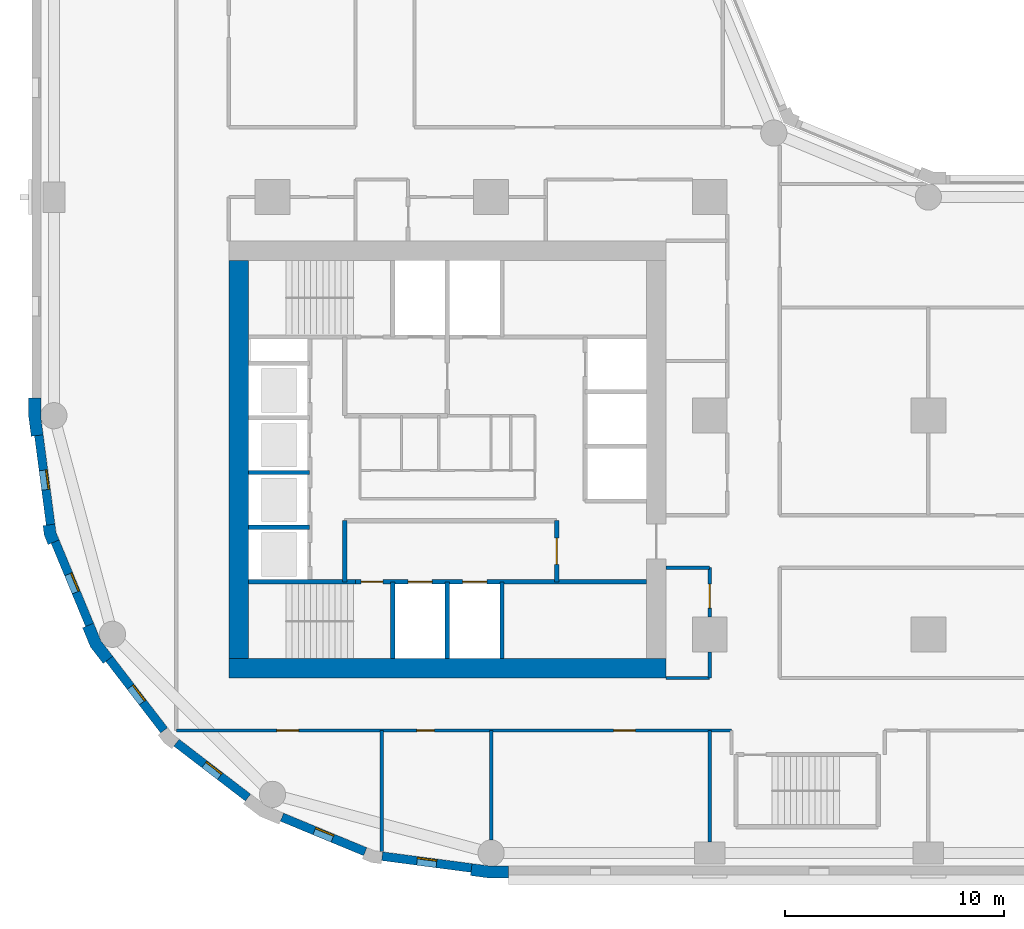
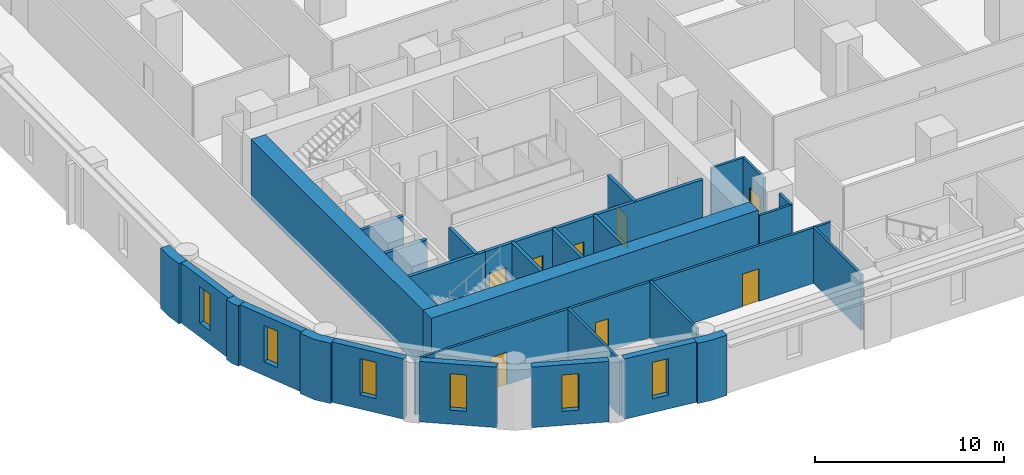
# One storey, part 2 of 11: 29 walls, 8 doors, 6 windows, 14 openings.
"""IFC4 building model written with IfcOpenShell, lengths in metres."""

from ifc_helpers import new_model, si_unit, direction, frame, frame_2d, origin, place, context, subcontext, project, spatial, polyline, rectangle, outline, extrude, material, layer, layer_set, type_object, element, fill, save


model = new_model("IFC4")

# Units and contexts
model_context = context("Model", 3, precision=1e-05, world=origin(), true_north=direction((0.0, 1.0)))
body_context = subcontext(model_context, "Body", "Model", "MODEL_VIEW")
ifc_project = project(units=[si_unit("LENGTHUNIT", "METRE"), si_unit("AREAUNIT", "SQUARE_METRE"), si_unit("VOLUMEUNIT", "CUBIC_METRE"), si_unit("PLANEANGLEUNIT", "RADIAN"), si_unit("MASSUNIT", "GRAM", prefix="KILO")], contexts=[model_context])

# Site, building, storey
site_placement = place(None, origin())
site = spatial("IfcSite", under=ifc_project, at=site_placement, CompositionType="ELEMENT")
building_placement = place(site_placement, origin())
building = spatial("IfcBuilding", under=site, at=building_placement, Name="Qaws Garden Tower", CompositionType="ELEMENT")
storey_placement = place(building_placement, frame((0.0, 0.0, 86.10009765625)))
storey = spatial("IfcBuildingStorey", under=building, at=storey_placement, Name="L21", CompositionType="ELEMENT", Elevation=86.10009765625)

# Wall, opening, window
ifc_material_1 = material(Name="Clay facing brick masonry", Category="masonry")
ifc_layer_1 = layer(ifc_material_1, 0.39990234375)
ifc_layer_set_1 = layer_set([ifc_layer_1], Name="Clay facing brick masonry")
wall_type_1 = type_object("IfcWallType", Name="Brick infill wall 400", PredefinedType="SOLIDWALL", material=ifc_layer_set_1)
wall_1_placement = place(storey_placement, frame((-0.688720703125, 19.102294921875, 0.0), z_axis=(0.0, 0.0, 1.0), x_axis=(0.130514280502, -0.991446429508, 0.0)))
wall_1 = element("IfcWall", 1, at=wall_1_placement, inside=storey, type_object=wall_type_1, Name="E-L21-infill-27", PredefinedType="SOLIDWALL", context=body_context, shape_type="SweptSolid", body=[
    extrude(rectangle(XDim=4.120849609375, YDim=0.39990234375, at=frame_2d((2.060546875, 0.0))), origin(), (0.0, 0.0, 1.0), 3.89990234375),
])
opening_1_placement = place(wall_1_placement, frame((1.610595703125, 0.0, 0.89990234375)))
opening_1 = element("IfcOpeningElement", 2, at=opening_1_placement, cuts=wall_1, Name="Opening W09", PredefinedType="OPENING", context=body_context, shape_type="SweptSolid", body=[
    extrude(rectangle(XDim=0.89990234375, YDim=2.35009765625, at=frame_2d((0.449951171875, 1.175048828125))), frame((0.0, 0.2099609375, 0.0), z_axis=(0.0, -1.0, 0.0), x_axis=(1.0, 0.0, 0.0)), (0.0, 0.0, 1.0), 0.419921875),
])
ifc_material_2 = material(Name="Aluminium framed window, clear glazing", Category="aluminium")
window_type = type_object("IfcWindowType", Name="Slit window 900 x 2350", PartitioningType="SINGLE_PANEL", PredefinedType="WINDOW", material=ifc_material_2)
window_1_placement = place(opening_1_placement, origin())
window_1 = element("IfcWindow", 3, at=window_1_placement, inside=storey, type_object=window_type, Name="E-L21-window-27-0", OverallHeight=2.35009765625, OverallWidth=0.89990234375, PartitioningType="SINGLE_PANEL", PredefinedType="WINDOW", context=body_context, shape_type="SweptSolid", body=[
    extrude(rectangle(XDim=0.89990234375, YDim=2.35009765625, at=frame_2d((0.449951171875, 1.175048828125))), frame((0.0, 0.159912109375, 0.0), z_axis=(0.0, -1.0, 0.0), x_axis=(1.0, 0.0, 0.0)), (0.0, 0.0, 1.0), 0.06005859375),
])
fill(opening_1, window_1)

wall_2_placement = place(storey_placement, frame((0.05712890625, 14.240234375, 0.0), z_axis=(0.0, 0.0, 1.0), x_axis=(0.382721546029, -0.923863744394, 0.0)))
wall_2 = element("IfcWall", 4, at=wall_2_placement, inside=storey, type_object=wall_type_1, Name="E-L21-infill-28", PredefinedType="SOLIDWALL", context=body_context, shape_type="SweptSolid", body=[
    extrude(rectangle(XDim=4.120849609375, YDim=0.39990234375, at=frame_2d((2.060546875, 0.0))), origin(), (0.0, 0.0, 1.0), 3.89990234375),
])
opening_2_placement = place(wall_2_placement, frame((1.610595703125, 0.0, 0.89990234375)))
opening_2 = element("IfcOpeningElement", 5, at=opening_2_placement, cuts=wall_2, Name="Opening W09", PredefinedType="OPENING", context=body_context, shape_type="SweptSolid", body=[
    extrude(rectangle(XDim=0.89990234375, YDim=2.35009765625, at=frame_2d((0.449951171875, 1.175048828125))), frame((0.0, 0.2099609375, 0.0), z_axis=(0.0, -1.0, 0.0), x_axis=(1.0, 0.0, 0.0)), (0.0, 0.0, 1.0), 0.419921875),
])
window_2_placement = place(opening_2_placement, origin())
window_2 = element("IfcWindow", 6, at=window_2_placement, inside=storey, type_object=window_type, Name="E-L21-window-28-0", OverallHeight=2.35009765625, OverallWidth=0.89990234375, PartitioningType="SINGLE_PANEL", PredefinedType="WINDOW", context=body_context, shape_type="SweptSolid", body=[
    extrude(rectangle(XDim=0.89990234375, YDim=2.35009765625, at=frame_2d((0.449951171875, 1.175048828125))), frame((0.0, 0.159912109375, 0.0), z_axis=(0.0, -1.0, 0.0), x_axis=(1.0, 0.0, 0.0)), (0.0, 0.0, 1.0), 0.06005859375),
])
fill(opening_2, window_2)

wall_3_placement = place(storey_placement, frame((2.53173828125, 8.87841796875, 0.0), z_axis=(0.0, 0.0, 1.0), x_axis=(0.608759824817, -0.793354571229, 0.0)))
wall_3 = element("IfcWall", 7, at=wall_3_placement, inside=storey, type_object=wall_type_1, Name="E-L21-infill-29", PredefinedType="SOLIDWALL", context=body_context, shape_type="SweptSolid", body=[
    extrude(rectangle(XDim=4.12109375, YDim=0.39990234375, at=frame_2d((2.060546875, 0.0))), origin(), (0.0, 0.0, 1.0), 3.89990234375),
])
opening_3_placement = place(wall_3_placement, frame((1.610595703125, 0.0, 0.89990234375)))
opening_3 = element("IfcOpeningElement", 8, at=opening_3_placement, cuts=wall_3, Name="Opening W09", PredefinedType="OPENING", context=body_context, shape_type="SweptSolid", body=[
    extrude(rectangle(XDim=0.89990234375, YDim=2.35009765625, at=frame_2d((0.449951171875, 1.175048828125))), frame((0.0, 0.2099609375, 0.0), z_axis=(0.0, -1.0, 0.0), x_axis=(1.0, 0.0, 0.0)), (0.0, 0.0, 1.0), 0.419921875),
])
window_3_placement = place(opening_3_placement, origin())
window_3 = element("IfcWindow", 9, at=window_3_placement, inside=storey, type_object=window_type, Name="E-L21-window-29-0", OverallHeight=2.35009765625, OverallWidth=0.89990234375, PartitioningType="SINGLE_PANEL", PredefinedType="WINDOW", context=body_context, shape_type="SweptSolid", body=[
    extrude(rectangle(XDim=0.89990234375, YDim=2.35009765625, at=frame_2d((0.449951171875, 1.175048828125))), frame((0.0, 0.159912109375, 0.0), z_axis=(0.0, -1.0, 0.0), x_axis=(1.0, 0.0, 0.0)), (0.0, 0.0, 1.0), 0.06005859375),
])
fill(opening_3, window_3)

wall_4_placement = place(storey_placement, frame((5.60888671875, 5.04052734375, 0.0), z_axis=(0.0, 0.0, 1.0), x_axis=(0.793354571229, -0.608759824817, 0.0)))
wall_4 = element("IfcWall", 10, at=wall_4_placement, inside=storey, type_object=wall_type_1, Name="E-L21-infill-30", PredefinedType="SOLIDWALL", context=body_context, shape_type="SweptSolid", body=[
    extrude(rectangle(XDim=4.12109375, YDim=0.39990234375, at=frame_2d((2.060546875, 0.0))), origin(), (0.0, 0.0, 1.0), 3.89990234375),
])
opening_4_placement = place(wall_4_placement, frame((1.610595703125, 0.0, 0.89990234375)))
opening_4 = element("IfcOpeningElement", 11, at=opening_4_placement, cuts=wall_4, Name="Opening W09", PredefinedType="OPENING", context=body_context, shape_type="SweptSolid", body=[
    extrude(rectangle(XDim=0.89990234375, YDim=2.35009765625, at=frame_2d((0.449951171875, 1.175048828125))), frame((0.0, 0.2099609375, 0.0), z_axis=(0.0, -1.0, 0.0), x_axis=(1.0, 0.0, 0.0)), (0.0, 0.0, 1.0), 0.419921875),
])
window_4_placement = place(opening_4_placement, origin())
window_4 = element("IfcWindow", 12, at=window_4_placement, inside=storey, type_object=window_type, Name="E-L21-window-30-0", OverallHeight=2.35009765625, OverallWidth=0.89990234375, PartitioningType="SINGLE_PANEL", PredefinedType="WINDOW", context=body_context, shape_type="SweptSolid", body=[
    extrude(rectangle(XDim=0.89990234375, YDim=2.35009765625, at=frame_2d((0.449951171875, 1.175048828125))), frame((0.0, 0.159912109375, 0.0), z_axis=(0.0, -1.0, 0.0), x_axis=(1.0, 0.0, 0.0)), (0.0, 0.0, 1.0), 0.06005859375),
])
fill(opening_4, window_4)

wall_5_placement = place(storey_placement, frame((10.43310546875, 1.63427734375, 0.0), z_axis=(0.0, 0.0, 1.0), x_axis=(0.923863744394, -0.382721546029, 0.0)))
wall_5 = element("IfcWall", 13, at=wall_5_placement, inside=storey, type_object=wall_type_1, Name="E-L21-infill-31", PredefinedType="SOLIDWALL", context=body_context, shape_type="SweptSolid", body=[
    extrude(rectangle(XDim=4.120849609375, YDim=0.39990234375, at=frame_2d((2.060546875, 0.0))), origin(), (0.0, 0.0, 1.0), 3.89990234375),
])
opening_5_placement = place(wall_5_placement, frame((1.610595703125, 0.0, 0.89990234375)))
opening_5 = element("IfcOpeningElement", 14, at=opening_5_placement, cuts=wall_5, Name="Opening W09", PredefinedType="OPENING", context=body_context, shape_type="SweptSolid", body=[
    extrude(rectangle(XDim=0.89990234375, YDim=2.35009765625, at=frame_2d((0.449951171875, 1.175048828125))), frame((0.0, 0.2099609375, 0.0), z_axis=(0.0, -1.0, 0.0), x_axis=(1.0, 0.0, 0.0)), (0.0, 0.0, 1.0), 0.419921875),
])
window_5_placement = place(opening_5_placement, origin())
window_5 = element("IfcWindow", 15, at=window_5_placement, inside=storey, type_object=window_type, Name="E-L21-window-31-0", OverallHeight=2.35009765625, OverallWidth=0.89990234375, PartitioningType="SINGLE_PANEL", PredefinedType="WINDOW", context=body_context, shape_type="SweptSolid", body=[
    extrude(rectangle(XDim=0.89990234375, YDim=2.35009765625, at=frame_2d((0.449951171875, 1.175048828125))), frame((0.0, 0.159912109375, 0.0), z_axis=(0.0, -1.0, 0.0), x_axis=(1.0, 0.0, 0.0)), (0.0, 0.0, 1.0), 0.06005859375),
])
fill(opening_5, window_5)

wall_6_placement = place(storey_placement, frame((15.0166015625, -0.15087890625, 0.0), z_axis=(0.0, 0.0, 1.0), x_axis=(0.991446429508, -0.130514280502, 0.0)))
wall_6 = element("IfcWall", 16, at=wall_6_placement, inside=storey, type_object=wall_type_1, Name="E-L21-infill-32", PredefinedType="SOLIDWALL", context=body_context, shape_type="SweptSolid", body=[
    extrude(rectangle(XDim=4.120849609375, YDim=0.39990234375, at=frame_2d((2.060546875, 0.0))), origin(), (0.0, 0.0, 1.0), 3.89990234375),
])
opening_6_placement = place(wall_6_placement, frame((1.610595703125, 0.0, 0.89990234375)))
opening_6 = element("IfcOpeningElement", 17, at=opening_6_placement, cuts=wall_6, Name="Opening W09", PredefinedType="OPENING", context=body_context, shape_type="SweptSolid", body=[
    extrude(rectangle(XDim=0.89990234375, YDim=2.35009765625, at=frame_2d((0.449951171875, 1.175048828125))), frame((0.0, 0.2099609375, 0.0), z_axis=(0.0, -1.0, 0.0), x_axis=(1.0, 0.0, 0.0)), (0.0, 0.0, 1.0), 0.419921875),
])
window_6_placement = place(opening_6_placement, origin())
window_6 = element("IfcWindow", 18, at=window_6_placement, inside=storey, type_object=window_type, Name="E-L21-window-32-0", OverallHeight=2.35009765625, OverallWidth=0.89990234375, PartitioningType="SINGLE_PANEL", PredefinedType="WINDOW", context=body_context, shape_type="SweptSolid", body=[
    extrude(rectangle(XDim=0.89990234375, YDim=2.35009765625, at=frame_2d((0.449951171875, 1.175048828125))), frame((0.0, 0.159912109375, 0.0), z_axis=(0.0, -1.0, 0.0), x_axis=(1.0, 0.0, 0.0)), (0.0, 0.0, 1.0), 0.06005859375),
])
fill(opening_6, window_6)

# Walls
ifc_material_3 = material(Name="Clay facing brick masonry", Category="masonry")
ifc_layer_2 = layer(ifc_material_3, 0.550048828125)
ifc_layer_set_2 = layer_set([ifc_layer_2], Name="Clay facing brick masonry")
wall_type_2 = type_object("IfcWallType", Name="Brick kink pier 550 x 600", PredefinedType="SOLIDWALL", material=ifc_layer_set_2)
placement = place(storey_placement, origin())
element("IfcWall", 19, at=placement, inside=storey, type_object=wall_type_2, Name="E-L21-pier-28", PredefinedType="SOLIDWALL", context=body_context, shape_type="SweptSolid", body=[
    extrude(outline(polyline([(-0.34912109375, 14.990478515625), (-0.497802734375, 14.970947265625), (-0.43896484375, 14.5234375), (-0.26611328125, 14.1064453125), (-0.127685546875, 14.163818359375), (0.241943359375, 14.31689453125), (0.096923828125, 14.6669921875), (0.04736328125, 15.042724609375), (-0.34912109375, 14.990478515625)])), origin(), (0.0, 0.0, 1.0), 3.89990234375),
])
ifc_material_4 = material(Name="Clay facing brick masonry", Category="masonry")
ifc_layer_3 = layer(ifc_material_4, 0.550048828125)
ifc_layer_set_3 = layer_set([ifc_layer_3], Name="Clay facing brick masonry")
wall_type_3 = type_object("IfcWallType", Name="Brick pier 550 x 1600", PredefinedType="SOLIDWALL", material=ifc_layer_set_3)
element("IfcWall", 20, at=placement, inside=storey, type_object=wall_type_3, Name="E-L21-pier-00", PredefinedType="SOLIDWALL", context=body_context, shape_type="SweptSolid", body=[
    extrude(outline(polyline([(19.076416015625, -0.886962890625), (19.056640625, -1.03564453125), (19.924560546875, -1.14990234375), (20.800048828125, -1.14990234375), (20.800048828125, -1.0), (20.800048828125, -0.60009765625), (19.960693359375, -0.60009765625), (19.12841796875, -0.490478515625), (19.076416015625, -0.886962890625)])), origin(), (0.0, 0.0, 1.0), 3.89990234375),
])
element("IfcWall", 21, at=placement, inside=storey, type_object=wall_type_3, Name="E-L21-pier-27", PredefinedType="SOLIDWALL", context=body_context, shape_type="SweptSolid", body=[
    extrude(outline(polyline([(-1.0, 20.800048828125), (-1.14990234375, 20.800048828125), (-1.14990234375, 19.924560546875), (-1.03564453125, 19.056640625), (-0.886962890625, 19.076416015625), (-0.490478515625, 19.12841796875), (-0.60009765625, 19.960693359375), (-0.60009765625, 20.800048828125), (-1.0, 20.800048828125)])), origin(), (0.0, 0.0, 1.0), 3.89990234375),
])
element("IfcWall", 22, at=placement, inside=storey, type_object=wall_type_3, Name="E-L21-pier-29", PredefinedType="SOLIDWALL", context=body_context, shape_type="SweptSolid", body=[
    extrude(outline(polyline([(1.449462890625, 10.3564453125), (1.310791015625, 10.299072265625), (1.675048828125, 9.419921875), (2.254150390625, 8.665283203125), (2.373046875, 8.756591796875), (2.6904296875, 9.0), (2.1552734375, 9.697509765625), (1.819091796875, 10.509521484375), (1.449462890625, 10.3564453125)])), origin(), (0.0, 0.0, 1.0), 3.89990234375),
])
ifc_material_5 = material(Name="Concrete C80", Category="concrete")
ifc_layer_4 = layer(ifc_material_5, 0.199951171875)
ifc_layer_set_4 = layer_set([ifc_layer_4], Name="Concrete C80")
wall_type_4 = type_object("IfcWallType", Name="Core shaft wall 200 C80", PredefinedType="SHEAR", material=ifc_layer_set_4)
wall_11_placement = place(storey_placement, frame((8.89990234375, 12.39990234375, 0.0), z_axis=(0.0, 0.0, 1.0), x_axis=(1.0, 0.0, 0.0)))
element("IfcWall", 23, at=wall_11_placement, inside=storey, type_object=wall_type_4, Name="Shaft wall", PredefinedType="SHEAR", context=body_context, shape_type="SweptSolid", body=[
    extrude(rectangle(XDim=4.900146484375, YDim=0.199951171875, at=frame_2d((2.4501953125, 0.0))), origin(), (0.0, 0.0, 1.0), 3.579833984375),
])

# Wall, openings, doors
wall_12_placement = place(storey_placement, frame((13.800048828125, 12.39990234375, 0.0), z_axis=(0.0, 0.0, 1.0), x_axis=(1.0, 0.0, 0.0)))
wall_12 = element("IfcWall", 24, at=wall_12_placement, inside=storey, type_object=wall_type_4, Name="Shaft wall", PredefinedType="SHEAR", context=body_context, shape_type="SweptSolid", body=[
    extrude(rectangle(XDim=13.300048828125, YDim=0.199951171875, at=frame_2d((6.64990234375, 0.0))), origin(), (0.0, 0.0, 1.0), 3.579833984375),
])
opening_7_placement = place(wall_12_placement, frame((2.39990234375, 0.0, 0.0)))
opening_7 = element("IfcOpeningElement", 25, at=opening_7_placement, cuts=wall_12, Name="Opening LD06", PredefinedType="OPENING", context=body_context, shape_type="SweptSolid", body=[
    extrude(rectangle(XDim=1.10009765625, YDim=2.10009765625, at=frame_2d((0.550048828125, 1.050048828125))), frame((0.0, 0.10986328125, 0.0), z_axis=(0.0, -1.0, 0.0), x_axis=(1.0, 0.0, 0.0)), (0.0, 0.0, 1.0), 0.219970703125),
])
opening_8_placement = place(wall_12_placement, frame((4.89990234375, 0.0, 0.0)))
opening_8 = element("IfcOpeningElement", 26, at=opening_8_placement, cuts=wall_12, Name="Opening LD07", PredefinedType="OPENING", context=body_context, shape_type="SweptSolid", body=[
    extrude(rectangle(XDim=1.10009765625, YDim=2.10009765625, at=frame_2d((0.550048828125, 1.050048828125))), frame((0.0, 0.10986328125, 0.0), z_axis=(0.0, -1.0, 0.0), x_axis=(1.0, 0.0, 0.0)), (0.0, 0.0, 1.0), 0.219970703125),
])
opening_9_placement = place(wall_12_placement, frame((0.25, 0.0, 0.0)))
opening_9 = element("IfcOpeningElement", 27, at=opening_9_placement, cuts=wall_12, Name="Opening SD10", PredefinedType="OPENING", context=body_context, shape_type="SweptSolid", body=[
    extrude(rectangle(XDim=1.0, YDim=2.10009765625, at=frame_2d((0.5, 1.050048828125))), frame((0.0, 0.10986328125, 0.0), z_axis=(0.0, -1.0, 0.0), x_axis=(1.0, 0.0, 0.0)), (0.0, 0.0, 1.0), 0.219970703125),
])
ifc_material_6 = material(Name="Steel S235", Category="steel")
door_type_1 = type_object("IfcDoorType", Name="Landing door 1100x2100", OperationType="DOUBLE_DOOR_SLIDING", PredefinedType="DOOR", material=ifc_material_6)
door_1_placement = place(opening_7_placement, origin())
door_1 = element("IfcDoor", 28, at=door_1_placement, inside=storey, type_object=door_type_1, Name="Lift FF1 landing door", OperationType="DOUBLE_DOOR_SLIDING", OverallHeight=2.10009765625, OverallWidth=1.10009765625, PredefinedType="DOOR", context=body_context, shape_type="SweptSolid", body=[
    extrude(rectangle(XDim=1.10009765625, YDim=2.10009765625, at=frame_2d((0.550048828125, 1.050048828125))), frame((0.0, 0.02490234375, 0.0), z_axis=(0.0, -1.0, 0.0), x_axis=(1.0, 0.0, 0.0)), (0.0, 0.0, 1.0), 0.050048828125),
])
fill(opening_7, door_1)
door_2_placement = place(opening_8_placement, origin())
door_2 = element("IfcDoor", 29, at=door_2_placement, inside=storey, type_object=door_type_1, Name="Lift FF2 landing door", OperationType="DOUBLE_DOOR_SLIDING", OverallHeight=2.10009765625, OverallWidth=1.10009765625, PredefinedType="DOOR", context=body_context, shape_type="SweptSolid", body=[
    extrude(rectangle(XDim=1.10009765625, YDim=2.10009765625, at=frame_2d((0.550048828125, 1.050048828125))), frame((0.0, 0.02490234375, 0.0), z_axis=(0.0, -1.0, 0.0), x_axis=(1.0, 0.0, 0.0)), (0.0, 0.0, 1.0), 0.050048828125),
])
fill(opening_8, door_2)
ifc_material_7 = material(Name="Steel S235", Category="steel")
door_type_2 = type_object("IfcDoorType", Name="Stair door 1000x2100", OperationType="SINGLE_SWING_RIGHT", PredefinedType="DOOR", material=ifc_material_7)
door_3_placement = place(opening_9_placement, frame((1.0, 0.0, 0.0), z_axis=(0.0, 0.0, 1.0), x_axis=(-1.0, 0.0, 0.0)))
door_3 = element("IfcDoor", 30, at=door_3_placement, inside=storey, type_object=door_type_2, Name="Stair 1 door", OperationType="SINGLE_SWING_LEFT", OverallHeight=2.10009765625, OverallWidth=1.0, PredefinedType="DOOR", context=body_context, shape_type="SweptSolid", body=[
    extrude(rectangle(XDim=1.0, YDim=2.10009765625, at=frame_2d((0.5, 1.050048828125))), frame((0.0, 0.02490234375, 0.0), z_axis=(0.0, -1.0, 0.0), x_axis=(1.0, 0.0, 0.0)), (0.0, 0.0, 1.0), 0.050048828125),
])
fill(opening_9, door_3)

# Walls
for number, where, z_axis, x_axis, name in (
    (31, (8.89990234375, 14.89990234375, 0.0), (0.0, 0.0, 1.0), (1.0, 0.0, 0.0), "Shaft wall"),
    (32, (8.89990234375, 17.39990234375, 0.0), (0.0, 0.0, 1.0), (1.0, 0.0, 0.0), "Shaft wall"),
    (33, (13.300048828125, 12.39990234375, 0.0), (0.0, 0.0, 1.0), (0.0, 1.0, 0.0), "Shaft wall"),
):
    element("IfcWall", number, at=place(storey_placement, frame(where, z_axis=z_axis, x_axis=x_axis)), inside=storey, type_object=wall_type_4, Name=name, PredefinedType="SHEAR", context=body_context, shape_type="SweptSolid", body=[
        extrude(rectangle(XDim=2.800048828125, YDim=0.199951171875, at=frame_2d((1.39990234375, 0.0))), origin(), (0.0, 0.0, 1.0), 3.579833984375),
    ])
for number, where, z_axis, x_axis, name in (
    (34, (15.5, 8.89990234375, 0.0), (0.0, 0.0, 1.0), (0.0, 1.0, 0.0), "Shaft wall"),
    (35, (18.0, 8.89990234375, 0.0), (0.0, 0.0, 1.0), (0.0, 1.0, 0.0), "Shaft wall"),
    (36, (20.5, 8.89990234375, 0.0), (0.0, 0.0, 1.0), (0.0, 1.0, 0.0), "Shaft wall"),
):
    element("IfcWall", number, at=place(storey_placement, frame(where, z_axis=z_axis, x_axis=x_axis)), inside=storey, type_object=wall_type_4, Name=name, PredefinedType="SHEAR", context=body_context, shape_type="SweptSolid", body=[
        extrude(rectangle(XDim=3.5, YDim=0.199951171875, at=frame_2d((1.75, 0.0))), origin(), (0.0, 0.0, 1.0), 3.579833984375),
    ])

# Wall, opening, door
wall_13_placement = place(storey_placement, frame((23.0, 12.39990234375, 0.0), z_axis=(0.0, 0.0, 1.0), x_axis=(0.0, 1.0, 0.0)))
wall_13 = element("IfcWall", 37, at=wall_13_placement, inside=storey, type_object=wall_type_4, Name="Shaft wall", PredefinedType="SHEAR", context=body_context, shape_type="SweptSolid", body=[
    extrude(rectangle(XDim=2.800048828125, YDim=0.199951171875, at=frame_2d((1.39990234375, 0.0))), origin(), (0.0, 0.0, 1.0), 3.579833984375),
])
opening_10_placement = place(wall_13_placement, frame((0.800048828125, 0.0, 0.0)))
opening_10 = element("IfcOpeningElement", 38, at=opening_10_placement, cuts=wall_13, Name="Opening FD15", PredefinedType="OPENING", context=body_context, shape_type="SweptSolid", body=[
    extrude(rectangle(XDim=1.199951171875, YDim=2.10009765625, at=frame_2d((0.60009765625, 1.050048828125))), frame((0.0, 0.10986328125, 0.0), z_axis=(0.0, -1.0, 0.0), x_axis=(1.0, 0.0, 0.0)), (0.0, 0.0, 1.0), 0.219970703125),
])
ifc_material_8 = material(Name="Steel S235", Category="steel")
door_type_3 = type_object("IfcDoorType", Name="Lobby door 1200x2100", OperationType="DOUBLE_DOOR_SINGLE_SWING", PredefinedType="DOOR", material=ifc_material_8)
door_4_placement = place(opening_10_placement, origin())
door_4 = element("IfcDoor", 39, at=door_4_placement, inside=storey, type_object=door_type_3, Name="Fire-fighting lobby door", OperationType="DOUBLE_DOOR_SINGLE_SWING", OverallHeight=2.10009765625, OverallWidth=1.199951171875, PredefinedType="DOOR", context=body_context, shape_type="SweptSolid", body=[
    extrude(rectangle(XDim=1.199951171875, YDim=2.10009765625, at=frame_2d((0.60009765625, 1.050048828125))), frame((0.0, 0.02490234375, 0.0), z_axis=(0.0, -1.0, 0.0), x_axis=(1.0, 0.0, 0.0)), (0.0, 0.0, 1.0), 0.050048828125),
])
fill(opening_10, door_4)

# Walls
ifc_material_9 = material(Name="Concrete C80", Category="concrete")
ifc_layer_5 = layer(ifc_material_9, 0.89990234375)
ifc_layer_set_5 = layer_set([ifc_layer_5], Name="Concrete C80")
wall_type_5 = type_object("IfcWallType", Name="Core wall 900 C80", PredefinedType="SHEAR", material=ifc_layer_set_5)
wall_14_placement = place(storey_placement, frame((8.0, 8.449951171875, 0.0), z_axis=(0.0, 0.0, 1.0), x_axis=(1.0, 0.0, 0.0)))
element("IfcWall", 40, at=wall_14_placement, inside=storey, type_object=wall_type_5, Name="Core wall L21 south", PredefinedType="SHEAR", context=body_context, shape_type="SweptSolid", body=[
    extrude(rectangle(XDim=20.0, YDim=0.89990234375, at=frame_2d((10.0, 0.0))), origin(), (0.0, 0.0, 1.0), 3.89990234375),
])
wall_15_placement = place(storey_placement, frame((8.449951171875, 27.10009765625, 0.0), z_axis=(0.0, 0.0, 1.0), x_axis=(0.0, -1.0, 0.0)))
element("IfcWall", 41, at=wall_15_placement, inside=storey, type_object=wall_type_5, Name="Core wall L21 west", PredefinedType="SHEAR", context=body_context, shape_type="SweptSolid", body=[
    extrude(rectangle(XDim=18.2001953125, YDim=0.89990234375, at=frame_2d((9.10009765625, 0.0))), origin(), (0.0, 0.0, 1.0), 3.89990234375),
])
ifc_material_10 = material(Name="Gypsum board partition")
ifc_layer_6 = layer(ifc_material_10, 0.14990234375)
ifc_layer_set_6 = layer_set([ifc_layer_6], Name="Gypsum board partition")
wall_type_6 = type_object("IfcWallType", Name="PARTITION 150 EI 60", PredefinedType="PARTITIONING", material=ifc_layer_set_6)
wall_16_placement = place(storey_placement, frame((15.0, 0.06298828125, 0.0), z_axis=(0.0, 0.0, 1.0), x_axis=(0.0, 1.0, 0.0)))
element("IfcWall", 42, at=wall_16_placement, inside=storey, type_object=wall_type_6, Name="O-L21-wall-007", PredefinedType="PARTITIONING", context=body_context, shape_type="SweptSolid", body=[
    extrude(rectangle(XDim=5.537109375, YDim=0.14990234375, at=frame_2d((2.7685546875, 0.0))), origin(), (0.0, 0.0, 1.0), 3.579833984375),
])
wall_17_placement = place(storey_placement, frame((20.0, 0.60009765625, 0.0), z_axis=(0.0, 0.0, 1.0), x_axis=(0.0, 1.0, 0.0)))
element("IfcWall", 43, at=wall_17_placement, inside=storey, type_object=wall_type_6, Name="O-L21-wall-011", PredefinedType="PARTITIONING", context=body_context, shape_type="SweptSolid", body=[
    extrude(rectangle(XDim=5.0, YDim=0.14990234375, at=frame_2d((2.5, 0.0))), origin(), (0.0, 0.0, 1.0), 3.579833984375),
])
wall_18_placement = place(storey_placement, frame((30.0, 0.5, 0.0), z_axis=(0.0, 0.0, 1.0), x_axis=(0.0, 1.0, 0.0)))
element("IfcWall", 44, at=wall_18_placement, inside=storey, type_object=wall_type_6, Name="O-L21-wall-014", PredefinedType="PARTITIONING", context=body_context, shape_type="SweptSolid", body=[
    extrude(rectangle(XDim=5.10009765625, YDim=0.14990234375, at=frame_2d((2.550048828125, 0.0))), origin(), (0.0, 0.0, 1.0), 3.579833984375),
])
wall_19_placement = place(storey_placement, frame((30.0, 8.0, 0.0), z_axis=(0.0, 0.0, 1.0), x_axis=(0.0, 1.0, 0.0)))
element("IfcWall", 45, at=wall_19_placement, inside=storey, type_object=wall_type_6, Name="O-L21-wall-015", PredefinedType="PARTITIONING", context=body_context, shape_type="SweptSolid", body=[
    extrude(rectangle(XDim=1.199951171875, YDim=0.14990234375, at=frame_2d((0.60009765625, 0.0))), origin(), (0.0, 0.0, 1.0), 3.579833984375),
])

# Wall, opening, door
wall_20_placement = place(storey_placement, frame((30.0, 10.800048828125, 0.0), z_axis=(0.0, 0.0, 1.0), x_axis=(0.0, 1.0, 0.0)))
wall_20 = element("IfcWall", 46, at=wall_20_placement, inside=storey, type_object=wall_type_6, Name="O-L21-wall-016", PredefinedType="PARTITIONING", context=body_context, shape_type="SweptSolid", body=[
    extrude(rectangle(XDim=2.25, YDim=0.14990234375, at=frame_2d((1.125, 0.0))), origin(), (0.0, 0.0, 1.0), 3.579833984375),
])
opening_11_placement = place(wall_20_placement, frame((0.39990234375, 0.0, 0.0)))
opening_11 = element("IfcOpeningElement", 47, at=opening_11_placement, cuts=wall_20, Name="Opening A706", PredefinedType="OPENING", context=body_context, shape_type="SweptSolid", body=[
    extrude(rectangle(XDim=1.10009765625, YDim=2.10009765625, at=frame_2d((0.550048828125, 1.050048828125))), frame((0.0, 0.0849609375, 0.0), z_axis=(0.0, -1.0, 0.0), x_axis=(1.0, 0.0, 0.0)), (0.0, 0.0, 1.0), 0.169921875),
])
ifc_material_11 = material(Name="Timber door leaf", Category="wood")
door_type_4 = type_object("IfcDoorType", Name="SERVICE ROOM DOOR 1100 X 2100", OperationType="SINGLE_SWING_LEFT", PredefinedType="DOOR", material=ifc_material_11)
door_5_placement = place(opening_11_placement, origin())
door_5 = element("IfcDoor", 48, at=door_5_placement, inside=storey, type_object=door_type_4, Name="O-L21-door-006", OperationType="SINGLE_SWING_LEFT", OverallHeight=2.10009765625, OverallWidth=1.10009765625, PredefinedType="DOOR", context=body_context, shape_type="SweptSolid", body=[
    extrude(rectangle(XDim=1.10009765625, YDim=2.10009765625, at=frame_2d((0.550048828125, 1.050048828125))), frame((0.0, 0.02490234375, 0.0), z_axis=(0.0, -1.0, 0.0), x_axis=(1.0, 0.0, 0.0)), (0.0, 0.0, 1.0), 0.050048828125),
])
fill(opening_11, door_5)

# Wall, openings, doors
wall_21_placement = place(storey_placement, frame((5.60009765625, 5.60009765625, 0.0), z_axis=(0.0, 0.0, 1.0), x_axis=(1.0, 0.0, 0.0)))
wall_21 = element("IfcWall", 49, at=wall_21_placement, inside=storey, type_object=wall_type_6, Name="O-L21-wall-033", PredefinedType="PARTITIONING", context=body_context, shape_type="SweptSolid", body=[
    extrude(rectangle(XDim=25.39990234375, YDim=0.14990234375, at=frame_2d((12.699951171875, 0.0))), origin(), (0.0, 0.0, 1.0), 3.579833984375),
])
opening_12_placement = place(wall_21_placement, frame((4.60009765625, 0.0, 0.0)))
opening_12 = element("IfcOpeningElement", 50, at=opening_12_placement, cuts=wall_21, Name="Opening A702", PredefinedType="OPENING", context=body_context, shape_type="SweptSolid", body=[
    extrude(rectangle(XDim=1.0, YDim=2.10009765625, at=frame_2d((0.5, 1.050048828125))), frame((0.0, 0.0849609375, 0.0), z_axis=(0.0, -1.0, 0.0), x_axis=(1.0, 0.0, 0.0)), (0.0, 0.0, 1.0), 0.169921875),
])
opening_13_placement = place(wall_21_placement, frame((11.0, 0.0, 0.0)))
opening_13 = element("IfcOpeningElement", 51, at=opening_13_placement, cuts=wall_21, Name="Opening A713", PredefinedType="OPENING", context=body_context, shape_type="SweptSolid", body=[
    extrude(rectangle(XDim=0.800048828125, YDim=2.10009765625, at=frame_2d((0.39990234375, 1.050048828125))), frame((0.0, 0.0849609375, 0.0), z_axis=(0.0, -1.0, 0.0), x_axis=(1.0, 0.0, 0.0)), (0.0, 0.0, 1.0), 0.169921875),
])
opening_14_placement = place(wall_21_placement, frame((20.0, 0.0, 0.0)))
opening_14 = element("IfcOpeningElement", 52, at=opening_14_placement, cuts=wall_21, Name="Opening A719", PredefinedType="OPENING", context=body_context, shape_type="SweptSolid", body=[
    extrude(rectangle(XDim=1.0, YDim=2.10009765625, at=frame_2d((0.5, 1.050048828125))), frame((0.0, 0.0849609375, 0.0), z_axis=(0.0, -1.0, 0.0), x_axis=(1.0, 0.0, 0.0)), (0.0, 0.0, 1.0), 0.169921875),
])
ifc_material_12 = material(Name="Timber door leaf", Category="wood")
door_type_5 = type_object("IfcDoorType", Name="STORE DOOR 800 X 2100", OperationType="SINGLE_SWING_LEFT", PredefinedType="DOOR", material=ifc_material_12)
door_6_placement = place(opening_13_placement, frame((0.800048828125, 0.0, 0.0), z_axis=(0.0, 0.0, 1.0), x_axis=(-1.0, 0.0, 0.0)))
door_6 = element("IfcDoor", 53, at=door_6_placement, inside=storey, type_object=door_type_5, Name="O-L21-door-013", OperationType="SINGLE_SWING_LEFT", OverallHeight=2.10009765625, OverallWidth=0.800048828125, PredefinedType="DOOR", context=body_context, shape_type="SweptSolid", body=[
    extrude(rectangle(XDim=0.800048828125, YDim=2.10009765625, at=frame_2d((0.39990234375, 1.050048828125))), frame((0.0, 0.02490234375, 0.0), z_axis=(0.0, -1.0, 0.0), x_axis=(1.0, 0.0, 0.0)), (0.0, 0.0, 1.0), 0.050048828125),
])
fill(opening_13, door_6)
ifc_material_13 = material(Name="Timber door leaf", Category="wood")
door_type_6 = type_object("IfcDoorType", Name="TENANCY ENTRANCE DOOR 1000 X 2100", OperationType="SINGLE_SWING_LEFT", PredefinedType="DOOR", material=ifc_material_13)
door_7_placement = place(opening_12_placement, frame((1.0, 0.0, 0.0), z_axis=(0.0, 0.0, 1.0), x_axis=(-1.0, 0.0, 0.0)))
door_7 = element("IfcDoor", 54, at=door_7_placement, inside=storey, type_object=door_type_6, Name="O-L21-door-002", OperationType="SINGLE_SWING_LEFT", OverallHeight=2.10009765625, OverallWidth=1.0, PredefinedType="DOOR", context=body_context, shape_type="SweptSolid", body=[
    extrude(rectangle(XDim=1.0, YDim=2.10009765625, at=frame_2d((0.5, 1.050048828125))), frame((0.0, 0.02490234375, 0.0), z_axis=(0.0, -1.0, 0.0), x_axis=(1.0, 0.0, 0.0)), (0.0, 0.0, 1.0), 0.050048828125),
])
fill(opening_12, door_7)
door_8_placement = place(opening_14_placement, frame((1.0, 0.0, 0.0), z_axis=(0.0, 0.0, 1.0), x_axis=(-1.0, 0.0, 0.0)))
door_8 = element("IfcDoor", 55, at=door_8_placement, inside=storey, type_object=door_type_6, Name="O-L21-door-019", OperationType="SINGLE_SWING_LEFT", OverallHeight=2.10009765625, OverallWidth=1.0, PredefinedType="DOOR", context=body_context, shape_type="SweptSolid", body=[
    extrude(rectangle(XDim=1.0, YDim=2.10009765625, at=frame_2d((0.5, 1.050048828125))), frame((0.0, 0.02490234375, 0.0), z_axis=(0.0, -1.0, 0.0), x_axis=(1.0, 0.0, 0.0)), (0.0, 0.0, 1.0), 0.050048828125),
])
fill(opening_14, door_8)

# Walls
for number, where, z_axis, x_axis, name in (
    (56, (28.0, 8.0, 0.0), (0.0, 0.0, 1.0), (1.0, 0.0, 0.0), "O-L21-wall-035"),
    (57, (28.0, 13.050048828125, 0.0), (0.0, 0.0, 1.0), (1.0, 0.0, 0.0), "O-L21-wall-037"),
):
    element("IfcWall", number, at=place(storey_placement, frame(where, z_axis=z_axis, x_axis=x_axis)), inside=storey, type_object=wall_type_6, Name=name, PredefinedType="PARTITIONING", context=body_context, shape_type="SweptSolid", body=[
        extrude(rectangle(XDim=2.0, YDim=0.14990234375, at=frame_2d((1.0, 0.0))), origin(), (0.0, 0.0, 1.0), 3.579833984375),
    ])

save(model, "model.ifc")
